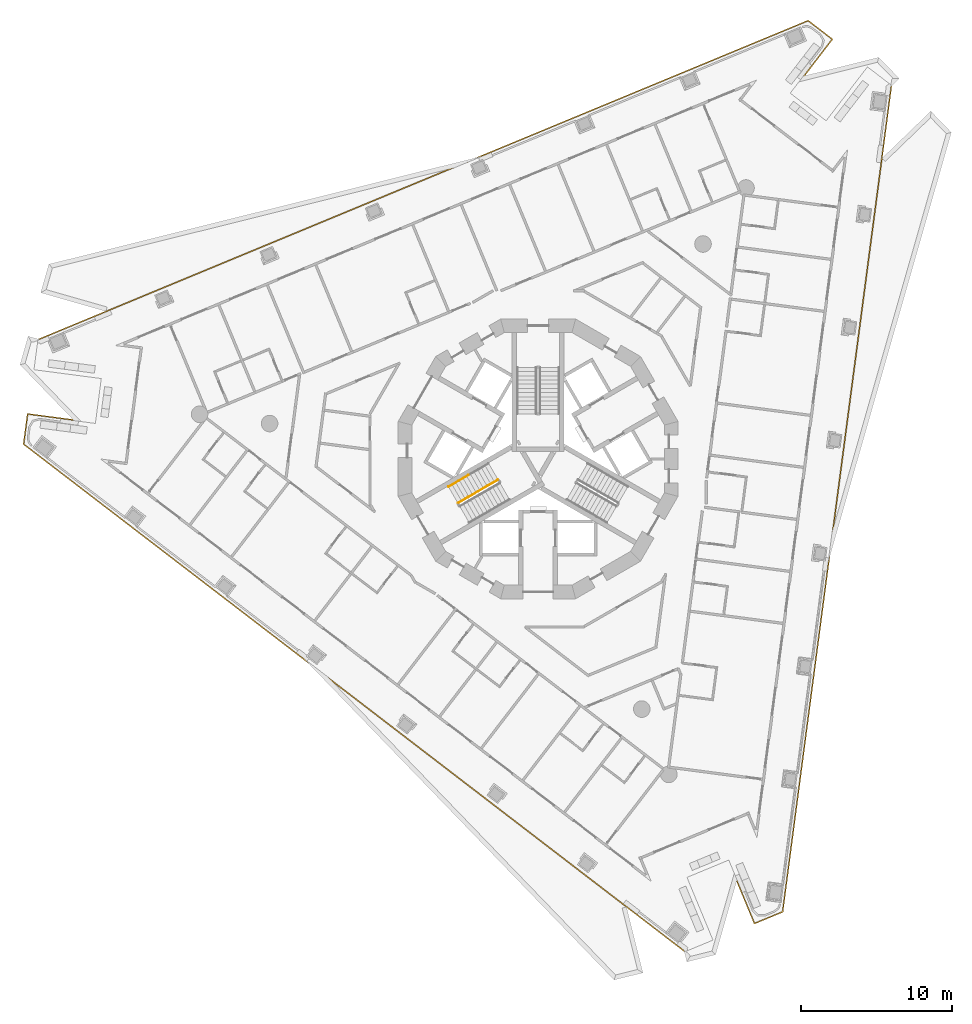
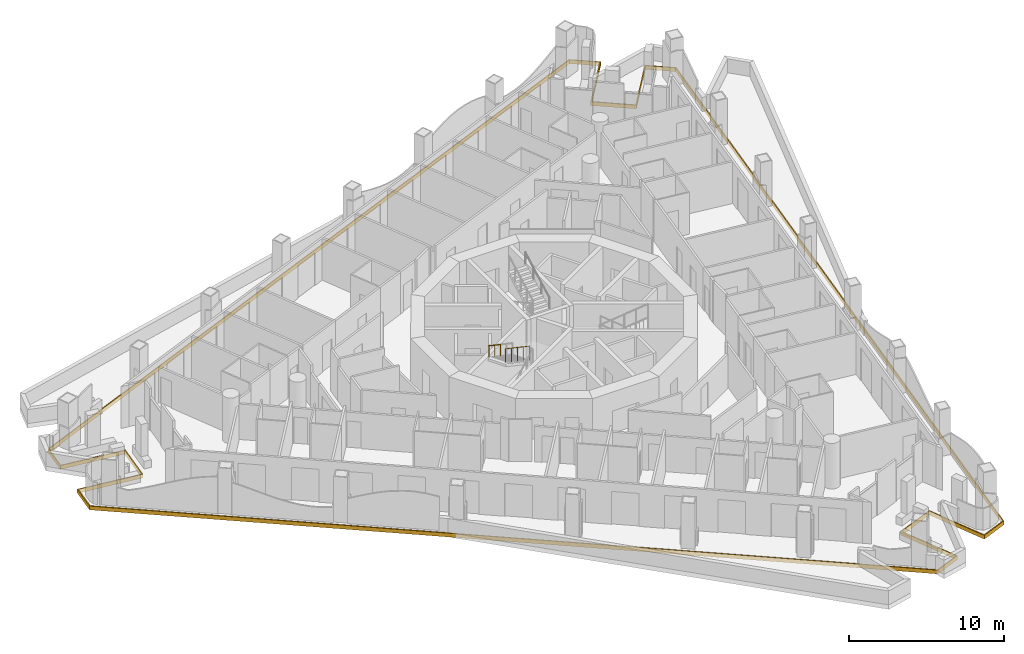
# One storey, part 16 of 19: 2 railings, 1 covering.
"""IFC4 building model written with IfcOpenShell, lengths in metres."""

from ifc_helpers import new_model, si_unit, direction, frame, origin, origin_2d, place, context, subcontext, project, spatial, polyline, circle, outline, extrude, material, layer, layer_set, type_object, element, save


model = new_model("IFC4")

# Units and contexts
model_context = context("Model", 3, precision=1e-05, world=origin(), true_north=direction((0.0, 1.0)))
body_context = subcontext(model_context, "Body", "Model", "MODEL_VIEW")
ifc_project = project(units=[si_unit("LENGTHUNIT", "METRE"), si_unit("AREAUNIT", "SQUARE_METRE"), si_unit("VOLUMEUNIT", "CUBIC_METRE"), si_unit("PLANEANGLEUNIT", "RADIAN"), si_unit("MASSUNIT", "GRAM", prefix="KILO")], contexts=[model_context])

# Site, building, storey
site_placement = place(None, origin())
site = spatial("IfcSite", under=ifc_project, at=site_placement, CompositionType="ELEMENT")
building_placement = place(site_placement, origin())
building = spatial("IfcBuilding", under=site, at=building_placement, Name="Trine Commons Tower", CompositionType="ELEMENT")
storey_placement = place(building_placement, frame((0.0, 0.0, 124.199951171875)))
storey = spatial("IfcBuildingStorey", under=building, at=storey_placement, Name="L31", CompositionType="ELEMENT", Elevation=124.199951171875)

# Covering
ifc_material_1 = material(Name="Limestone, honed", Category="masonry")
ifc_layer = layer(ifc_material_1, 0.074951171875)
ifc_layer_set = layer_set([ifc_layer], Name="Limestone, honed")
covering_type = type_object("IfcCoveringType", Name="Limestone spandrel panel 75", PredefinedType="CLADDING", material=ifc_layer_set)
covering_placement = place(storey_placement, frame((0.0, 0.0, -0.300048828125)))
element("IfcCovering", 1, at=covering_placement, inside=storey, type_object=covering_type, Name="Limestone spandrel panel 4-01", PredefinedType="CLADDING", context=body_context, shape_type="SweptSolid", body=[
    extrude(outline(polyline([(92.5986328125, 35.80810546875), (94.32080078125, 31.650634765625), (96.24462890625, 32.447509765625), (103.46923828125, 87.32421875), (101.817138671875, 88.591796875), (99.07763671875, 85.021728515625), (96.816650390625, 86.756591796875), (99.55615234375, 90.326904296875), (97.904052734375, 91.594482421875), (46.76708984375, 70.412841796875), (46.495361328125, 68.348388671875), (50.956787109375, 67.760986328125), (50.584716796875, 64.935302734375), (46.123291015625, 65.522705078125), (45.8515625, 63.4580078125), (89.763671875, 29.762939453125), (91.6875, 30.559814453125), (89.965576171875, 34.71728515625), (92.5986328125, 35.80810546875)]), holes=[polyline([(101.8310546875, 88.48681640625), (103.38916015625, 87.291015625), (96.17578125, 32.500244140625), (94.361328125, 31.74853515625), (92.63916015625, 35.906005859375), (89.867431640625, 34.758056640625), (91.589599609375, 30.6005859375), (89.77490234375, 29.848876953125), (45.931396484375, 63.4912109375), (46.187744140625, 65.4384765625), (50.6494140625, 64.85107421875), (51.041015625, 67.825439453125), (46.579345703125, 68.412841796875), (46.835693359375, 70.360107421875), (97.892578125, 91.508544921875), (99.450927734375, 90.31298828125), (96.71142578125, 86.742919921875), (99.091552734375, 84.91650390625), (101.8310546875, 88.48681640625)])]), origin(), (0.0, 0.0, 1.0), 0.300048828125),
])

# Railings
ifc_material_2 = material(Name="Stainless steel balustrade", Category="steel")
railing_type_1 = type_object("IfcRailingType", Name="Stair guard, steel balustrade 1100", PredefinedType="GUARDRAIL", material=ifc_material_2)
railing_1_placement = place(storey_placement, frame((77.34765625, 61.113037109375, 1.949951171875)))
element("IfcRailing", 2, at=railing_1_placement, inside=storey, type_object=railing_type_1, Name="L31 ST2B stair guard 3", PredefinedType="GUARDRAIL", context=body_context, shape_type="SweptSolid", body=[
    extrude(circle(Radius=0.02392578125, at=origin_2d()), frame((0.0, 0.0, 1.076171875), z_axis=(-0.763379768245, -0.440728498818, 0.472239049384), x_axis=(0.499992328818, -0.866029832698, 0.0)), (0.0, 0.0, 1.0), 3.494384765625),
    extrude(circle(Radius=0.02099609375, at=origin_2d()), origin(), (0.0, 0.0, 1.0), 1.052001953125),
    extrude(circle(Radius=0.02099609375, at=origin_2d()), frame((-0.6669921875, -0.385009765625, 0.41259765625)), (0.0, 0.0, 1.0), 1.052001953125),
    extrude(circle(Radius=0.02099609375, at=origin_2d()), frame((-1.333740234375, -0.77001953125, 0.8251953125)), (0.0, 0.0, 1.0), 1.052001953125),
    extrude(circle(Radius=0.02099609375, at=origin_2d()), frame((-2.00048828125, -1.155029296875, 1.237548828125)), (0.0, 0.0, 1.0), 1.052001953125),
    extrude(circle(Radius=0.02099609375, at=origin_2d()), frame((-2.66748046875, -1.5400390625, 1.650146484375)), (0.0, 0.0, 1.0), 1.052001953125),
])
ifc_material_3 = material(Name="Stainless steel handrail", Category="steel")
railing_type_2 = type_object("IfcRailingType", Name="Stair handrail, steel 900", PredefinedType="HANDRAIL", material=ifc_material_3)
railing_2_placement = place(storey_placement, frame((75.388916015625, 61.425537109375, 2.775146484375)))
element("IfcRailing", 3, at=railing_2_placement, inside=storey, type_object=railing_type_2, Name="L31 ST2B stair handrail 4", PredefinedType="HANDRAIL", context=body_context, shape_type="SweptSolid", body=[
    extrude(circle(Radius=0.02099609375, at=origin_2d()), frame((0.0, 0.0, 0.87890625), z_axis=(-0.76340495495, -0.440743040072, 0.472184759798), x_axis=(0.499992328818, -0.866029832698, 0.0)), (0.0, 0.0, 1.0), 1.7470703125),
    extrude(circle(Radius=0.01513671875, at=origin_2d()), origin(), (0.0, 0.0, 1.0), 0.85791015625),
    extrude(circle(Radius=0.01513671875, at=origin_2d()), frame((-0.6669921875, -0.385009765625, 0.41259765625)), (0.0, 0.0, 1.0), 0.85791015625),
    extrude(circle(Radius=0.01513671875, at=origin_2d()), frame((-1.333740234375, -0.77001953125, 0.824951171875)), (0.0, 0.0, 1.0), 0.85791015625),
])

save(model, "model.ifc")
